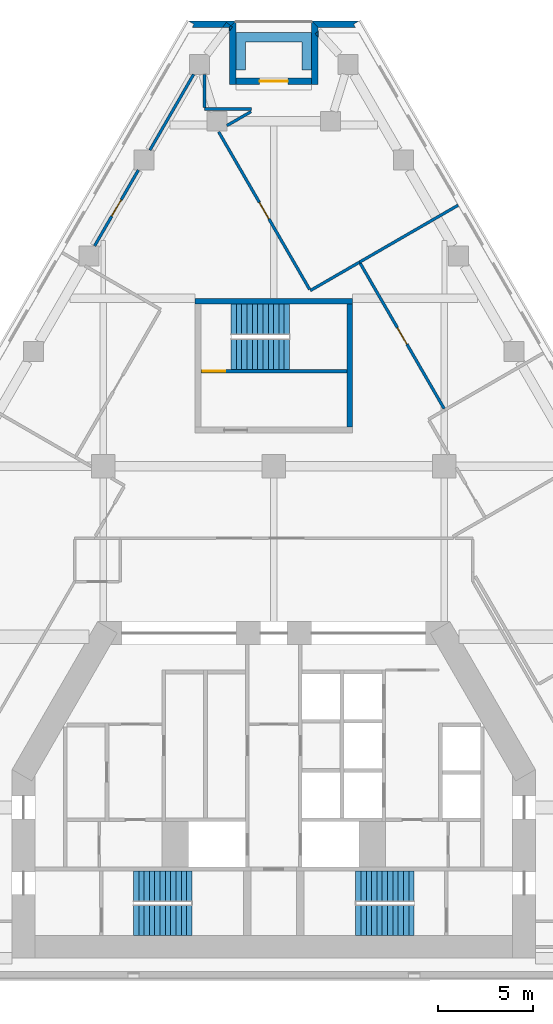
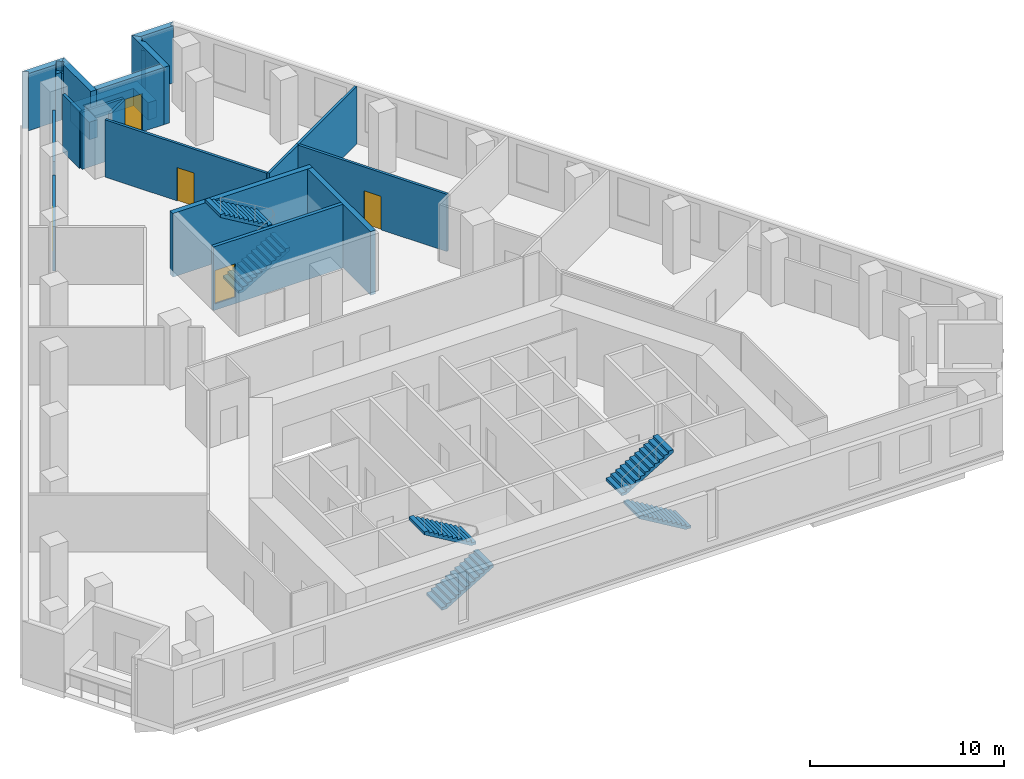
# One storey, part 8 of 9: 21 walls, 6 stair flights, 5 doors, 5 openings, 3 elements without a shape of their own.
"""IFC4 building model written with IfcOpenShell, lengths in metres."""

from ifc_helpers import new_model, si_unit, direction, frame, frame_2d, origin, place, context, subcontext, project, spatial, polyline, rectangle, outline, extrude, material, layer, layer_set, type_object, element, fill, aggregate, save


model = new_model("IFC4")

# Units and contexts
model_context = context("Model", 3, precision=1e-05, world=origin(), true_north=direction((0.0, 1.0)))
body_context = subcontext(model_context, "Body", "Model", "MODEL_VIEW")
ifc_project = project(units=[si_unit("LENGTHUNIT", "METRE"), si_unit("AREAUNIT", "SQUARE_METRE"), si_unit("VOLUMEUNIT", "CUBIC_METRE"), si_unit("PLANEANGLEUNIT", "RADIAN"), si_unit("MASSUNIT", "GRAM", prefix="KILO")], contexts=[model_context])

# Site, building, storey
site_placement = place(None, origin())
site = spatial("IfcSite", under=ifc_project, at=site_placement, CompositionType="ELEMENT")
building_placement = place(site_placement, origin())
building = spatial("IfcBuilding", under=site, at=building_placement, Name="Fogline Exchange Tower", CompositionType="ELEMENT")
storey_placement = place(building_placement, frame((0.0, 0.0, 150.89990234375)))
storey = spatial("IfcBuildingStorey", under=building, at=storey_placement, Name="L33", CompositionType="ELEMENT", Elevation=150.89990234375)

# Wall, opening, door
ifc_material_1 = material(Name="Concrete C40", Category="concrete")
ifc_layer_1 = layer(ifc_material_1, 0.199951171875)
ifc_layer_set_1 = layer_set([ifc_layer_1], Name="CW20R")
wall_type_1 = type_object("IfcWallType", Name="CW20R", PredefinedType="SOLIDWALL", material=ifc_layer_set_1)
wall_1_placement = place(storey_placement, frame((-3.85009765625, 32.007080078125, -0.39990234375), z_axis=(0.0, 0.0, 1.0), x_axis=(1.0, 0.0, 0.0)))
wall_1 = element("IfcWall", 1, at=wall_1_placement, inside=storey, type_object=wall_type_1, Name="Stair enclosure wall ST3", PredefinedType="SOLIDWALL", context=body_context, shape_type="SweptSolid", body=[
    extrude(rectangle(XDim=7.7001953125, YDim=0.199951171875, at=frame_2d((3.85009765625, 0.0))), origin(), (0.0, 0.0, 1.0), 4.0),
])
opening_1_placement = place(wall_1_placement, frame((0.10009765625, 0.0, 0.39990234375)))
opening_1 = element("IfcOpeningElement", 2, at=opening_1_placement, cuts=wall_1, Name="Opening T10-C023", PredefinedType="OPENING", context=body_context, shape_type="SweptSolid", body=[
    extrude(rectangle(XDim=1.199951171875, YDim=2.10009765625, at=frame_2d((0.60009765625, 1.050048828125))), frame((0.0, 0.10986328125, 0.0), z_axis=(0.0, -1.0, 0.0), x_axis=(1.0, 0.0, 0.0)), (0.0, 0.0, 1.0), 0.219970703125),
])
ifc_material_2 = material(Name="Steel and timber fire door", Category="steel")
door_type_1 = type_object("IfcDoorType", Name="D-ST1", OperationType="SINGLE_SWING_LEFT", PredefinedType="DOOR", material=ifc_material_2)
door_1_placement = place(opening_1_placement, origin())
door_1 = element("IfcDoor", 3, at=door_1_placement, inside=storey, type_object=door_type_1, Name="Stair door ST3", OperationType="SINGLE_SWING_LEFT", OverallHeight=2.10009765625, OverallWidth=1.199951171875, PredefinedType="DOOR", context=body_context, shape_type="SweptSolid", body=[
    extrude(rectangle(XDim=1.199951171875, YDim=2.10009765625, at=frame_2d((0.60009765625, 1.050048828125))), frame((0.0, 0.02490234375, 0.0), z_axis=(0.0, -1.0, 0.0), x_axis=(1.0, 0.0, 0.0)), (0.0, 0.0, 1.0), 0.050048828125),
])
fill(opening_1, door_1)

# Walls
ifc_layer_2 = layer(ifc_material_1, 0.300048828125)
ifc_layer_set_2 = layer_set([ifc_layer_2], Name="CW30")
wall_type_2 = type_object("IfcWallType", Name="CW30", PredefinedType="SOLIDWALL", material=ifc_layer_set_2)
wall_2_placement = place(storey_placement, frame((-4.14990234375, 35.70703125, -0.39990234375), z_axis=(0.0, 0.0, 1.0), x_axis=(1.0, 0.0, 0.0)))
element("IfcWall", 4, at=wall_2_placement, inside=storey, type_object=wall_type_2, Name="Stair enclosure wall ST3", PredefinedType="SOLIDWALL", context=body_context, shape_type="SweptSolid", body=[
    extrude(rectangle(XDim=8.2998046875, YDim=0.300048828125, at=frame_2d((4.14990234375, 0.0))), origin(), (0.0, 0.0, 1.0), 4.0),
])
wall_3_placement = place(storey_placement, frame((4.0, 29.056884765625, -0.39990234375), z_axis=(0.0, 0.0, 1.0), x_axis=(0.0, 1.0, 0.0)))
element("IfcWall", 5, at=wall_3_placement, inside=storey, type_object=wall_type_2, Name="Stair enclosure wall ST3", PredefinedType="SOLIDWALL", context=body_context, shape_type="SweptSolid", body=[
    extrude(rectangle(XDim=6.5, YDim=0.300048828125, at=frame_2d((3.25, 0.0))), origin(), (0.0, 0.0, 1.0), 4.0),
])
ifc_material_3 = material(Name="Brick masonry", Category="masonry")
ifc_layer_3 = layer(ifc_material_3, 0.340087890625)
ifc_layer_set_3 = layer_set([ifc_layer_3], Name="FW1")
wall_type_3 = type_object("IfcWallType", Name="FW1", PredefinedType="SOLIDWALL", material=ifc_layer_set_3)
wall_4_placement = place(storey_placement, origin())
element("IfcWall", 6, at=wall_4_placement, inside=storey, type_object=wall_type_3, Name="Brick wall L33 N-c1", PredefinedType="SOLIDWALL", context=body_context, shape_type="SweptSolid", body=[
    extrude(outline(polyline([(1.9990234375, 50.4873046875), (4.5009765625, 50.4873046875), (4.501220703125, 50.486572265625), (4.206298828125, 50.31640625), (4.3046875, 50.14599609375), (2.33984375, 50.14599609375), (1.998779296875, 50.487060546875), (1.9990234375, 50.4873046875)])), origin(), (0.0, 0.0, 1.0), 3.60009765625),
])
wall_5_placement = place(storey_placement, origin())
element("IfcWall", 7, at=wall_5_placement, inside=storey, type_object=wall_type_3, Name="Brick wall L33 N-s1", PredefinedType="SOLIDWALL", context=body_context, shape_type="SweptSolid", body=[
    extrude(outline(polyline([(2.340576171875, 49.641845703125), (2.18798828125, 49.81005859375), (2.340576171875, 49.948486328125), (2.340576171875, 49.641845703125)])), origin(), (0.0, 0.0, 1.0), 3.0),
])
wall_6_placement = place(storey_placement, origin())
element("IfcWall", 8, at=wall_6_placement, inside=storey, type_object=wall_type_3, Name="Brick wall L33 N-s1", PredefinedType="SOLIDWALL", context=body_context, shape_type="SweptSolid", body=[
    extrude(outline(polyline([(1.99951171875, 47.14599609375), (1.99951171875, 50.48779296875), (1.999755859375, 50.48779296875), (2.340576171875, 50.14697265625), (2.340576171875, 49.948486328125), (2.18798828125, 49.81005859375), (2.340576171875, 49.641845703125), (2.340576171875, 47.14599609375), (1.99951171875, 47.14599609375)])), origin(), (0.0, 0.0, 1.0), 3.60009765625),
])

# Wall, opening, door
wall_7_placement = place(storey_placement, frame((2.0, 47.316650390625, 0.0), z_axis=(0.0, 0.0, 1.0), x_axis=(-1.0, 0.0, 0.0)))
wall_7 = element("IfcWall", 9, at=wall_7_placement, inside=storey, type_object=wall_type_3, Name="Brick wall L33 N-bk", PredefinedType="SOLIDWALL", context=body_context, shape_type="SweptSolid", body=[
    extrude(rectangle(XDim=4.0, YDim=0.340087890625, at=frame_2d((2.0, 0.0))), origin(), (0.0, 0.0, 1.0), 3.60009765625),
])
opening_2_placement = place(wall_7_placement, frame((1.25, 0.0, 0.0)))
opening_2 = element("IfcOpeningElement", 10, at=opening_2_placement, cuts=wall_7, Name="Opening T10-E141", PredefinedType="OPENING", context=body_context, shape_type="SweptSolid", body=[
    extrude(rectangle(XDim=1.5, YDim=2.39990234375, at=frame_2d((0.75, 1.199951171875))), frame((0.0, 0.18017578125, 0.0), z_axis=(0.0, -1.0, 0.0), x_axis=(1.0, 0.0, 0.0)), (0.0, 0.0, 1.0), 0.360107421875),
])
ifc_material_4 = material(Name="Aluminium and glass", Category="aluminium")
door_type_2 = type_object("IfcDoorType", Name="ED4", OperationType="SINGLE_SWING_LEFT", PredefinedType="DOOR", material=ifc_material_4)
door_2_placement = place(opening_2_placement, frame((1.5, 0.0, 0.0), z_axis=(0.0, 0.0, 1.0), x_axis=(-1.0, 0.0, 0.0)))
door_2 = element("IfcDoor", 11, at=door_2_placement, inside=storey, type_object=door_type_2, Name="Balcony door L33 N", OperationType="DOUBLE_DOOR_SINGLE_SWING", OverallHeight=2.39990234375, OverallWidth=1.5, PredefinedType="DOOR", context=body_context, shape_type="SweptSolid", body=[
    extrude(rectangle(XDim=1.5, YDim=2.39990234375, at=frame_2d((0.75, 1.199951171875))), frame((0.0, 0.02490234375, 0.0), z_axis=(0.0, -1.0, 0.0), x_axis=(1.0, 0.0, 0.0)), (0.0, 0.0, 1.0), 0.050048828125),
])
fill(opening_2, door_2)

# Walls
wall_8_placement = place(storey_placement, origin())
element("IfcWall", 12, at=wall_8_placement, inside=storey, type_object=wall_type_3, Name="Brick wall L33 N-s2", PredefinedType="SOLIDWALL", context=body_context, shape_type="SweptSolid", body=[
    extrude(outline(polyline([(-2.340576171875, 50.14697265625), (-2.258056640625, 50.2294921875), (-2.180419921875, 50.170654296875), (-2.340576171875, 49.958740234375), (-2.340576171875, 50.14697265625)])), origin(), (0.0, 0.0, 1.0), 3.0),
])
wall_9_placement = place(storey_placement, origin())
element("IfcWall", 13, at=wall_9_placement, inside=storey, type_object=wall_type_3, Name="Brick wall L33 N-s2", PredefinedType="SOLIDWALL", context=body_context, shape_type="SweptSolid", body=[
    extrude(outline(polyline([(-1.99951171875, 47.14599609375), (-2.340576171875, 47.14599609375), (-2.340576171875, 49.958740234375), (-2.180419921875, 50.170654296875), (-2.258056640625, 50.2294921875), (-1.999755859375, 50.48779296875), (-1.99951171875, 50.48779296875), (-1.99951171875, 47.14599609375)])), origin(), (0.0, 0.0, 1.0), 3.60009765625),
])
wall_10_placement = place(storey_placement, origin())
element("IfcWall", 14, at=wall_10_placement, inside=storey, type_object=wall_type_3, Name="Brick wall L33 N-c2", PredefinedType="SOLIDWALL", context=body_context, shape_type="SweptSolid", body=[
    extrude(outline(polyline([(-2.33984375, 50.14599609375), (-2.700439453125, 50.14599609375), (-2.49951171875, 50.411865234375), (-2.257080078125, 50.228759765625), (-2.33984375, 50.14599609375)])), origin(), (0.0, 0.0, 1.0), 3.0),
])
wall_11_placement = place(storey_placement, origin())
element("IfcWall", 15, at=wall_11_placement, inside=storey, type_object=wall_type_3, Name="Brick wall L33 N-c2", PredefinedType="SOLIDWALL", context=body_context, shape_type="SweptSolid", body=[
    extrude(outline(polyline([(-4.206298828125, 50.31640625), (-4.501220703125, 50.486572265625), (-4.5009765625, 50.4873046875), (-1.9990234375, 50.4873046875), (-1.998779296875, 50.487060546875), (-2.257080078125, 50.228759765625), (-2.49951171875, 50.411865234375), (-2.700439453125, 50.14599609375), (-4.3046875, 50.14599609375), (-4.206298828125, 50.31640625)])), origin(), (0.0, 0.0, 1.0), 3.60009765625),
])
ifc_material_5 = material(Name="Concrete C30", Category="concrete")
ifc_layer_4 = layer(ifc_material_5, 0.199951171875)
ifc_layer_set_4 = layer_set([ifc_layer_4], Name="PL1")
wall_type_4 = type_object("IfcWallType", Name="PL1", PredefinedType="USERDEFINED", material=ifc_layer_set_4)
wall_12_placement = place(storey_placement, origin())
element("IfcWall", 16, at=wall_12_placement, inside=storey, type_object=wall_type_4, Name="PLANTER balcony L33 N", ObjectType="PLANTER", PredefinedType="USERDEFINED", context=body_context, shape_type="SweptSolid", body=[
    extrude(outline(polyline([(-1.5, 49.88671875), (-2.0, 49.88671875), (-2.0, 49.38671875), (-2.0, 47.88671875), (-1.5, 47.88671875), (-1.5, 49.38671875), (1.5, 49.38671875), (1.5, 47.88671875), (2.0, 47.88671875), (2.0, 49.38671875), (2.0, 49.88671875), (1.5, 49.88671875), (-1.5, 49.88671875)])), origin(), (0.0, 0.0, 1.0), 1.10009765625),
])
ifc_material_6 = material(Name="Plasterboard demising partition with mineral wool and acoustic board")
ifc_layer_5 = layer(ifc_material_6, 0.14990234375)
ifc_layer_set_5 = layer_set([ifc_layer_5], Name="PW3")
wall_type_5 = type_object("IfcWallType", Name="PW3", PredefinedType="PARTITIONING", material=ifc_layer_set_5)
wall_13_placement = place(storey_placement, frame((4.5244140625, 37.76416015625, 0.0), z_axis=(0.0, 0.0, 1.0), x_axis=(0.866031096941, 0.499990139034, 0.0)))
element("IfcWall", 17, at=wall_13_placement, inside=storey, type_object=wall_type_5, Name="wall-L33-W023", PredefinedType="PARTITIONING", context=body_context, shape_type="SweptSolid", body=[
    extrude(rectangle(XDim=6.0, YDim=0.14990234375, at=frame_2d((3.0, 0.0))), origin(), (0.0, 0.0, 1.0), 3.60009765625),
])

# Wall, opening, door
wall_14_placement = place(storey_placement, frame((8.987060546875, 30.034912109375, 0.0), z_axis=(0.0, 0.0, 1.0), x_axis=(-0.500005027614, 0.86602250107, 0.0)))
wall_14 = element("IfcWall", 18, at=wall_14_placement, inside=storey, type_object=wall_type_5, Name="wall-L33-W024", PredefinedType="PARTITIONING", context=body_context, shape_type="SweptSolid", body=[
    extrude(rectangle(XDim=8.85009765625, YDim=0.14990234375, at=frame_2d((4.425048828125, 0.0))), origin(), (0.0, 0.0, 1.0), 3.60009765625),
])
opening_3_placement = place(wall_14_placement, frame((3.925048828125, 0.0, 0.0)))
opening_3 = element("IfcOpeningElement", 19, at=opening_3_placement, cuts=wall_14, Name="Opening T10-D008", PredefinedType="OPENING", context=body_context, shape_type="SweptSolid", body=[
    extrude(rectangle(XDim=1.0, YDim=2.10009765625, at=frame_2d((0.5, 1.050048828125))), frame((0.0, 0.0849609375, 0.0), z_axis=(0.0, -1.0, 0.0), x_axis=(1.0, 0.0, 0.0)), (0.0, 0.0, 1.0), 0.169921875),
])
ifc_material_7 = material(Name="Fire-rated timber door leaf with steel frame", Category="steel")
door_type_3 = type_object("IfcDoorType", Name="D3", OperationType="SINGLE_SWING_LEFT", PredefinedType="DOOR", material=ifc_material_7)
door_3_placement = place(opening_3_placement, frame((1.0, 0.0, 0.0), z_axis=(0.0, 0.0, 1.0), x_axis=(-1.0, 0.0, 0.0)))
door_3 = element("IfcDoor", 20, at=door_3_placement, inside=storey, type_object=door_type_3, Name="door-L33-D008", OperationType="SINGLE_SWING_RIGHT", OverallHeight=2.10009765625, OverallWidth=1.0, PredefinedType="DOOR", context=body_context, shape_type="SweptSolid", body=[
    extrude(rectangle(XDim=1.0, YDim=2.10009765625, at=frame_2d((0.5, 1.050048828125))), frame((0.0, 0.02490234375, 0.0), z_axis=(0.0, -1.0, 0.0), x_axis=(1.0, 0.0, 0.0)), (0.0, 0.0, 1.0), 0.050048828125),
])
fill(opening_3, door_3)

# Wall
wall_15_placement = place(storey_placement, frame((4.5244140625, 37.76416015625, 0.0), z_axis=(0.0, 0.0, 1.0), x_axis=(-0.866010750942, -0.50002537861, 0.0)))
element("IfcWall", 21, at=wall_15_placement, inside=storey, type_object=wall_type_5, Name="wall-L33-W025", PredefinedType="PARTITIONING", context=body_context, shape_type="SweptSolid", body=[
    extrude(rectangle(XDim=2.999755859375, YDim=0.14990234375, at=frame_2d((1.5, 0.0))), origin(), (0.0, 0.0, 1.0), 3.60009765625),
])

# Wall, opening, door
wall_16_placement = place(storey_placement, frame((1.888916015625, 36.3291015625, 0.0), z_axis=(0.0, 0.0, 1.0), x_axis=(-0.499983220793, 0.866035091047, 0.0)))
wall_16 = element("IfcWall", 22, at=wall_16_placement, inside=storey, type_object=wall_type_5, Name="wall-L33-W026", PredefinedType="PARTITIONING", context=body_context, shape_type="SweptSolid", body=[
    extrude(rectangle(XDim=9.590087890625, YDim=0.14990234375, at=frame_2d((4.794921875, 0.0))), origin(), (0.0, 0.0, 1.0), 3.60009765625),
])
opening_4_placement = place(wall_16_placement, frame((4.294921875, 0.0, 0.0)))
opening_4 = element("IfcOpeningElement", 23, at=opening_4_placement, cuts=wall_16, Name="Opening T10-D009", PredefinedType="OPENING", context=body_context, shape_type="SweptSolid", body=[
    extrude(rectangle(XDim=1.0, YDim=2.10009765625, at=frame_2d((0.5, 1.050048828125))), frame((0.0, 0.0849609375, 0.0), z_axis=(0.0, -1.0, 0.0), x_axis=(1.0, 0.0, 0.0)), (0.0, 0.0, 1.0), 0.169921875),
])
door_4_placement = place(opening_4_placement, frame((1.0, 0.0, 0.0), z_axis=(0.0, 0.0, 1.0), x_axis=(-1.0, 0.0, 0.0)))
door_4 = element("IfcDoor", 24, at=door_4_placement, inside=storey, type_object=door_type_3, Name="door-L33-D009", OperationType="SINGLE_SWING_RIGHT", OverallHeight=2.10009765625, OverallWidth=1.0, PredefinedType="DOOR", context=body_context, shape_type="SweptSolid", body=[
    extrude(rectangle(XDim=1.0, YDim=2.10009765625, at=frame_2d((0.5, 1.050048828125))), frame((0.0, 0.02490234375, 0.0), z_axis=(0.0, -1.0, 0.0), x_axis=(1.0, 0.0, 0.0)), (0.0, 0.0, 1.0), 0.050048828125),
])
fill(opening_4, door_4)

# Wall
wall_17_placement = place(storey_placement, frame((-2.47509765625, 44.965576171875, 0.0), z_axis=(0.0, 0.0, 1.0), x_axis=(0.866050237424, 0.499956984408, 0.0)))
element("IfcWall", 25, at=wall_17_placement, inside=storey, type_object=wall_type_5, Name="wall-L33-W027", PredefinedType="PARTITIONING", context=body_context, shape_type="SweptSolid", body=[
    extrude(rectangle(XDim=1.471923828125, YDim=0.14990234375, at=frame_2d((0.73583984375, 0.0))), origin(), (0.0, 0.0, 1.0), 3.60009765625),
])

# Wall, opening, door
wall_18_placement = place(storey_placement, frame((-9.451171875, 38.62109375, 0.0), z_axis=(0.0, 0.0, 1.0), x_axis=(0.500004591975, 0.86602275259, 0.0)))
wall_18 = element("IfcWall", 26, at=wall_18_placement, inside=storey, type_object=wall_type_5, Name="wall-L33-W028", PredefinedType="PARTITIONING", context=body_context, shape_type="SweptSolid", body=[
    extrude(rectangle(XDim=4.619140625, YDim=0.14990234375, at=frame_2d((2.3095703125, 0.0))), origin(), (0.0, 0.0, 1.0), 2.800048828125),
])
opening_5_placement = place(wall_18_placement, frame((1.8095703125, 0.0, 0.0)))
opening_5 = element("IfcOpeningElement", 27, at=opening_5_placement, cuts=wall_18, Name="Opening T10-D010", PredefinedType="OPENING", context=body_context, shape_type="SweptSolid", body=[
    extrude(rectangle(XDim=1.0, YDim=2.10009765625, at=frame_2d((0.5, 1.050048828125))), frame((0.0, 0.0849609375, 0.0), z_axis=(0.0, -1.0, 0.0), x_axis=(1.0, 0.0, 0.0)), (0.0, 0.0, 1.0), 0.169921875),
])
door_5_placement = place(opening_5_placement, origin())
door_5 = element("IfcDoor", 28, at=door_5_placement, inside=storey, type_object=door_type_3, Name="door-L33-D010", OperationType="SINGLE_SWING_LEFT", OverallHeight=2.10009765625, OverallWidth=1.0, PredefinedType="DOOR", context=body_context, shape_type="SweptSolid", body=[
    extrude(rectangle(XDim=1.0, YDim=2.10009765625, at=frame_2d((0.5, 1.050048828125))), frame((0.0, 0.02490234375, 0.0), z_axis=(0.0, -1.0, 0.0), x_axis=(1.0, 0.0, 0.0)), (0.0, 0.0, 1.0), 0.050048828125),
])
fill(opening_5, door_5)

# Walls
wall_19_placement = place(storey_placement, frame((-6.535400390625, 43.67138671875, 0.0), z_axis=(0.0, 0.0, 1.0), x_axis=(0.500004591975, 0.86602275259, 0.0)))
element("IfcWall", 29, at=wall_19_placement, inside=storey, type_object=wall_type_5, Name="wall-L33-W029", PredefinedType="PARTITIONING", context=body_context, shape_type="SweptSolid", body=[
    extrude(rectangle(XDim=4.619140625, YDim=0.14990234375, at=frame_2d((2.3095703125, 0.0))), origin(), (0.0, 0.0, 1.0), 2.800048828125),
])
wall_20_placement = place(storey_placement, frame((-3.64501953125, 47.671630859375, 0.0), z_axis=(0.0, 0.0, 1.0), x_axis=(0.0, -1.0, 0.0)))
element("IfcWall", 30, at=wall_20_placement, inside=storey, type_object=wall_type_5, Name="wall-L33-W030", PredefinedType="PARTITIONING", context=body_context, shape_type="SweptSolid", body=[
    extrude(rectangle(XDim=1.7548828125, YDim=0.14990234375, at=frame_2d((0.87744140625, 0.0))), origin(), (0.0, 0.0, 1.0), 3.60009765625),
])
wall_21_placement = place(storey_placement, frame((-3.64501953125, 45.841796875, 0.0), z_axis=(0.0, 0.0, 1.0), x_axis=(1.0, 0.0, 0.0)))
element("IfcWall", 31, at=wall_21_placement, inside=storey, type_object=wall_type_5, Name="wall-L33-W031", PredefinedType="PARTITIONING", context=body_context, shape_type="SweptSolid", body=[
    extrude(rectangle(XDim=2.469970703125, YDim=0.14990234375, at=frame_2d((1.23486328125, 0.0))), origin(), (0.0, 0.0, 1.0), 3.60009765625),
])

# Stair, stair flights
stair_type = type_object("IfcStairType", Name="STR24-1667", PredefinedType="HALF_TURN_STAIR", material=ifc_material_1)
stair_1_placement = place(storey_placement, origin())
stair_1 = element("IfcStair", 32, at=stair_1_placement, inside=storey, type_object=stair_type, Name="Stair ST1", PredefinedType="HALF_TURN_STAIR")
stair_flight_type = type_object("IfcStairFlightType", Name="SF12-1667", PredefinedType="STRAIGHT", material=ifc_material_1)
stair_flight_1_placement = place(storey_placement, frame((-7.39990234375, 3.050048828125, 0.0), z_axis=(0.0, 0.0, 1.0), x_axis=(1.0, 0.0, 0.0)))
stair_flight_1 = element("IfcStairFlight", 33, at=stair_flight_1_placement, type_object=stair_flight_type, Name="ST1 flight 1", NumberOfRisers=12, NumberOfTreads=11, PredefinedType="STRAIGHT", RiserHeight=0.166666667, TreadLength=0.28, context=body_context, shape_type="SweptSolid", body=[
    extrude(outline(polyline([(0.0, 0.0), (0.0, 0.166748046875), (0.280029296875, 0.166748046875), (0.280029296875, 0.333251953125), (0.56005859375, 0.333251953125), (0.56005859375, 0.5), (0.840087890625, 0.5), (0.840087890625, 0.666748046875), (1.1201171875, 0.666748046875), (1.1201171875, 0.833251953125), (1.39990234375, 0.833251953125), (1.39990234375, 1.0), (1.679931640625, 1.0), (1.679931640625, 1.166748046875), (1.9599609375, 1.166748046875), (1.9599609375, 1.333251953125), (2.239990234375, 1.333251953125), (2.239990234375, 1.5), (2.52001953125, 1.5), (2.52001953125, 1.666748046875), (2.800048828125, 1.666748046875), (2.800048828125, 1.833251953125), (3.080078125, 1.833251953125), (3.080078125, 2.0), (3.080078125, 1.658935546875), (0.29296875, 0.0), (0.0, 0.0)])), frame((0.0, 0.800048828125, 0.0), z_axis=(0.0, -1.0, 0.0), x_axis=(1.0, 0.0, 0.0)), (0.0, 0.0, 1.0), 1.60009765625),
])
stair_flight_2_placement = place(storey_placement, frame((-4.320068359375, 4.85009765625, 2.0), z_axis=(0.0, 0.0, 1.0), x_axis=(-1.0, 0.0, 0.0)))
stair_flight_2 = element("IfcStairFlight", 34, at=stair_flight_2_placement, type_object=stair_flight_type, Name="ST1 flight 2", NumberOfRisers=12, NumberOfTreads=11, PredefinedType="STRAIGHT", RiserHeight=0.166666667, TreadLength=0.28, context=body_context, shape_type="SweptSolid", body=[
    extrude(outline(polyline([(0.0, 0.0), (0.0, 0.166748046875), (0.280029296875, 0.166748046875), (0.280029296875, 0.333251953125), (0.56005859375, 0.333251953125), (0.56005859375, 0.5), (0.840087890625, 0.5), (0.840087890625, 0.666748046875), (1.1201171875, 0.666748046875), (1.1201171875, 0.833251953125), (1.39990234375, 0.833251953125), (1.39990234375, 1.0), (1.679931640625, 1.0), (1.679931640625, 1.166748046875), (1.9599609375, 1.166748046875), (1.9599609375, 1.333251953125), (2.239990234375, 1.333251953125), (2.239990234375, 1.5), (2.52001953125, 1.5), (2.52001953125, 1.666748046875), (2.800048828125, 1.666748046875), (2.800048828125, 1.833251953125), (3.080078125, 1.833251953125), (3.080078125, 2.0), (3.080078125, 1.658935546875), (0.29296875, 0.0), (0.0, 0.0)])), frame((0.0, 0.800048828125, 0.0), z_axis=(0.0, -1.0, 0.0), x_axis=(1.0, 0.0, 0.0)), (0.0, 0.0, 1.0), 1.60009765625),
])
aggregate(stair_1, [stair_flight_1, stair_flight_2])

stair_2_placement = place(storey_placement, origin())
stair_2 = element("IfcStair", 35, at=stair_2_placement, inside=storey, type_object=stair_type, Name="Stair ST2", PredefinedType="HALF_TURN_STAIR")
stair_flight_3_placement = place(storey_placement, frame((7.39990234375, 3.050048828125, 0.0), z_axis=(0.0, 0.0, 1.0), x_axis=(-1.0, 0.0, 0.0)))
stair_flight_3 = element("IfcStairFlight", 36, at=stair_flight_3_placement, type_object=stair_flight_type, Name="ST2 flight 1", NumberOfRisers=12, NumberOfTreads=11, PredefinedType="STRAIGHT", RiserHeight=0.166666667, TreadLength=0.28, context=body_context, shape_type="SweptSolid", body=[
    extrude(outline(polyline([(0.0, 0.0), (0.0, 0.166748046875), (0.280029296875, 0.166748046875), (0.280029296875, 0.333251953125), (0.56005859375, 0.333251953125), (0.56005859375, 0.5), (0.840087890625, 0.5), (0.840087890625, 0.666748046875), (1.1201171875, 0.666748046875), (1.1201171875, 0.833251953125), (1.39990234375, 0.833251953125), (1.39990234375, 1.0), (1.679931640625, 1.0), (1.679931640625, 1.166748046875), (1.9599609375, 1.166748046875), (1.9599609375, 1.333251953125), (2.239990234375, 1.333251953125), (2.239990234375, 1.5), (2.52001953125, 1.5), (2.52001953125, 1.666748046875), (2.800048828125, 1.666748046875), (2.800048828125, 1.833251953125), (3.080078125, 1.833251953125), (3.080078125, 2.0), (3.080078125, 1.658935546875), (0.29296875, 0.0), (0.0, 0.0)])), frame((0.0, 0.800048828125, 0.0), z_axis=(0.0, -1.0, 0.0), x_axis=(1.0, 0.0, 0.0)), (0.0, 0.0, 1.0), 1.60009765625),
])
stair_flight_4_placement = place(storey_placement, frame((4.320068359375, 4.85009765625, 2.0), z_axis=(0.0, 0.0, 1.0), x_axis=(1.0, 0.0, 0.0)))
stair_flight_4 = element("IfcStairFlight", 37, at=stair_flight_4_placement, type_object=stair_flight_type, Name="ST2 flight 2", NumberOfRisers=12, NumberOfTreads=11, PredefinedType="STRAIGHT", RiserHeight=0.166666667, TreadLength=0.28, context=body_context, shape_type="SweptSolid", body=[
    extrude(outline(polyline([(0.0, 0.0), (0.0, 0.166748046875), (0.280029296875, 0.166748046875), (0.280029296875, 0.333251953125), (0.56005859375, 0.333251953125), (0.56005859375, 0.5), (0.840087890625, 0.5), (0.840087890625, 0.666748046875), (1.1201171875, 0.666748046875), (1.1201171875, 0.833251953125), (1.39990234375, 0.833251953125), (1.39990234375, 1.0), (1.679931640625, 1.0), (1.679931640625, 1.166748046875), (1.9599609375, 1.166748046875), (1.9599609375, 1.333251953125), (2.239990234375, 1.333251953125), (2.239990234375, 1.5), (2.52001953125, 1.5), (2.52001953125, 1.666748046875), (2.800048828125, 1.666748046875), (2.800048828125, 1.833251953125), (3.080078125, 1.833251953125), (3.080078125, 2.0), (3.080078125, 1.658935546875), (0.29296875, 0.0), (0.0, 0.0)])), frame((0.0, 0.800048828125, 0.0), z_axis=(0.0, -1.0, 0.0), x_axis=(1.0, 0.0, 0.0)), (0.0, 0.0, 1.0), 1.60009765625),
])
aggregate(stair_2, [stair_flight_3, stair_flight_4])

stair_3_placement = place(storey_placement, origin())
stair_3 = element("IfcStair", 38, at=stair_3_placement, inside=storey, type_object=stair_type, Name="Stair ST3", PredefinedType="HALF_TURN_STAIR")
stair_flight_5_placement = place(storey_placement, frame((-2.25, 32.906982421875, 0.0), z_axis=(0.0, 0.0, 1.0), x_axis=(1.0, 0.0, 0.0)))
stair_flight_5 = element("IfcStairFlight", 39, at=stair_flight_5_placement, type_object=stair_flight_type, Name="ST3 flight 1", NumberOfRisers=12, NumberOfTreads=11, PredefinedType="STRAIGHT", RiserHeight=0.166666667, TreadLength=0.28, context=body_context, shape_type="SweptSolid", body=[
    extrude(outline(polyline([(0.0, 0.0), (0.0, 0.166748046875), (0.280029296875, 0.166748046875), (0.280029296875, 0.333251953125), (0.56005859375, 0.333251953125), (0.56005859375, 0.5), (0.840087890625, 0.5), (0.840087890625, 0.666748046875), (1.1201171875, 0.666748046875), (1.1201171875, 0.833251953125), (1.39990234375, 0.833251953125), (1.39990234375, 1.0), (1.679931640625, 1.0), (1.679931640625, 1.166748046875), (1.9599609375, 1.166748046875), (1.9599609375, 1.333251953125), (2.239990234375, 1.333251953125), (2.239990234375, 1.5), (2.52001953125, 1.5), (2.52001953125, 1.666748046875), (2.800048828125, 1.666748046875), (2.800048828125, 1.833251953125), (3.080078125, 1.833251953125), (3.080078125, 2.0), (3.080078125, 1.658935546875), (0.29296875, 0.0), (0.0, 0.0)])), frame((0.0, 0.800048828125, 0.0), z_axis=(0.0, -1.0, 0.0), x_axis=(1.0, 0.0, 0.0)), (0.0, 0.0, 1.0), 1.60009765625),
])
stair_flight_6_placement = place(storey_placement, frame((0.830078125, 34.757080078125, 2.0), z_axis=(0.0, 0.0, 1.0), x_axis=(-1.0, 0.0, 0.0)))
stair_flight_6 = element("IfcStairFlight", 40, at=stair_flight_6_placement, type_object=stair_flight_type, Name="ST3 flight 2", NumberOfRisers=12, NumberOfTreads=11, PredefinedType="STRAIGHT", RiserHeight=0.166666667, TreadLength=0.28, context=body_context, shape_type="SweptSolid", body=[
    extrude(outline(polyline([(0.0, 0.0), (0.0, 0.166748046875), (0.280029296875, 0.166748046875), (0.280029296875, 0.333251953125), (0.56005859375, 0.333251953125), (0.56005859375, 0.5), (0.840087890625, 0.5), (0.840087890625, 0.666748046875), (1.1201171875, 0.666748046875), (1.1201171875, 0.833251953125), (1.39990234375, 0.833251953125), (1.39990234375, 1.0), (1.679931640625, 1.0), (1.679931640625, 1.166748046875), (1.9599609375, 1.166748046875), (1.9599609375, 1.333251953125), (2.239990234375, 1.333251953125), (2.239990234375, 1.5), (2.52001953125, 1.5), (2.52001953125, 1.666748046875), (2.800048828125, 1.666748046875), (2.800048828125, 1.833251953125), (3.080078125, 1.833251953125), (3.080078125, 2.0), (3.080078125, 1.658935546875), (0.29296875, 0.0), (0.0, 0.0)])), frame((0.0, 0.800048828125, 0.0), z_axis=(0.0, -1.0, 0.0), x_axis=(1.0, 0.0, 0.0)), (0.0, 0.0, 1.0), 1.60009765625),
])
aggregate(stair_3, [stair_flight_5, stair_flight_6])

save(model, "model.ifc")
